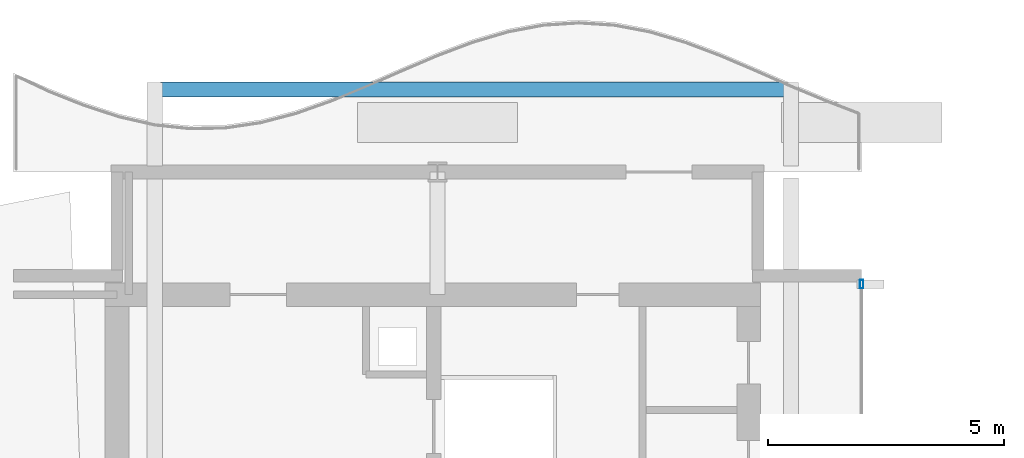
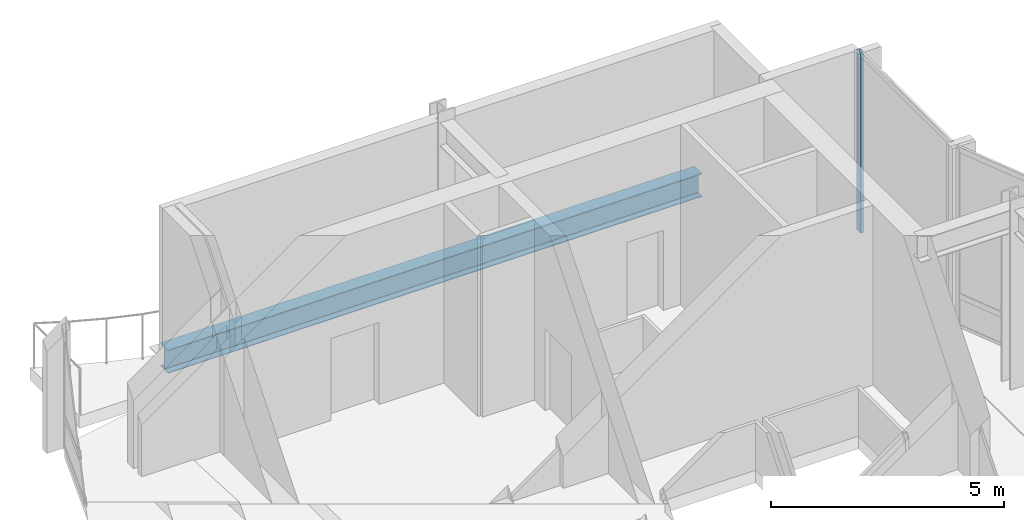
# One storey, part 19 of 29: 1 beam, 1 member, 1 element without a shape of its own.
"""IFC4 building model written with IfcOpenShell, lengths in metres."""

from ifc_helpers import new_model, si_unit, direction, frame, origin, origin_2d, place, context, subcontext, project, spatial, hollow_rectangle, i_section, extrude, material, layer, layer_set, material_profile, profile_set, type_object, element, aggregate, save


model = new_model("IFC4")

# Units and contexts
model_context = context("Model", 3, precision=1e-05, world=origin(), true_north=direction((0.0, 1.0)))
body_context = subcontext(model_context, "Body", "Model", "MODEL_VIEW")
ifc_project = project(units=[si_unit("LENGTHUNIT", "METRE"), si_unit("AREAUNIT", "SQUARE_METRE"), si_unit("VOLUMEUNIT", "CUBIC_METRE"), si_unit("PLANEANGLEUNIT", "RADIAN"), si_unit("MASSUNIT", "GRAM", prefix="KILO")], contexts=[model_context])

# Site, building, storey
site_placement = place(None, origin())
site = spatial("IfcSite", under=ifc_project, at=site_placement, CompositionType="ELEMENT")
building_placement = place(site_placement, origin())
building = spatial("IfcBuilding", under=site, at=building_placement, Name="Solvaryn Broadcast Tower", CompositionType="ELEMENT")
storey_placement = place(building_placement, frame((0.0, 0.0, 169.199951171875)))
storey = spatial("IfcBuildingStorey", under=building, at=storey_placement, Name="L42", CompositionType="ELEMENT", Elevation=169.199951171875)

# Beam
ifc_material_1 = material(Name="Steel ASTM A992 Grade 50", Category="steel")
ifc_material_profile_1 = material_profile(ifc_material_1, i_section(OverallWidth=0.323974609375, OverallDepth=0.611083984375, WebThickness=0.0126953125, FlangeThickness=0.01904296875, FilletRadius=0.014892578125, at=origin_2d()))
ifc_profile_set_1 = profile_set([ifc_material_profile_1], Name="Steel ASTM A992 Grade 50")
beam_type = type_object("IfcBeamType", Name="BM-B1-W24X104", PredefinedType="BEAM", material=ifc_profile_set_1)
beam_placement = place(storey_placement, frame((12.125, 46.75, -0.635498046875), z_axis=(1.0, 0.0, 0.0), x_axis=(0.0, 1.0, 0.0)))
element("IfcBeam", 1, at=beam_placement, inside=storey, type_object=beam_type, Name="L42 North Terrace Cross Tie Beam", PredefinedType="BEAM", context=body_context, shape_type="SweptSolid", body=[
    extrude(i_section(OverallWidth=0.323974609375, OverallDepth=0.611083984375, WebThickness=0.0126953125, FlangeThickness=0.01904296875, FilletRadius=0.014892578125, at=origin_2d()), origin(), (0.0, 0.0, 1.0), 13.25),
])

# Curtain wall, member
ifc_material_2 = material(Name="Aluminium and Terracotta Unitised Curtain Wall", Category="masonry")
ifc_layer = layer(ifc_material_2, 0.25)
ifc_layer_set = layer_set([ifc_layer], Name="CW-SYS4-SKYGARDEN")
curtain_wall_type = type_object("IfcCurtainWallType", Name="CW-SYS4-SKYGARDEN", PredefinedType="NOTDEFINED", material=ifc_layer_set)
curtain_wall_placement = place(storey_placement, origin())
curtain_wall = element("IfcCurtainWall", 2, at=curtain_wall_placement, inside=storey, type_object=curtain_wall_type, Name="L42 Curtain Wall IV", PredefinedType="NOTDEFINED")
ifc_material_3 = material(Name="Anodised Aluminium 6063-T6", Category="aluminium")
ifc_material_profile_2 = material_profile(ifc_material_3, hollow_rectangle(XDim=0.074951171875, YDim=0.179931640625, WallThickness=0.00390625, InnerFilletRadius=0.00390625, OuterFilletRadius=0.008056640625, at=origin_2d()))
ifc_profile_set_2 = profile_set([ifc_material_profile_2], Name="Anodised Aluminium 6063-T6")
member_type = type_object("IfcMemberType", Name="CW-MUL-180", PredefinedType="MULLION", material=ifc_profile_set_2)
member_placement = place(storey_placement, frame((27.0, 42.6201171875, 0.0), z_axis=(0.0, 0.0, 1.0), x_axis=(1.0, 0.0, 0.0)))
member = element("IfcMember", 3, at=member_placement, type_object=member_type, Name="CWS4 mullion 1", PredefinedType="MULLION", context=body_context, shape_type="SweptSolid", body=[
    extrude(hollow_rectangle(XDim=0.074951171875, YDim=0.179931640625, WallThickness=0.00390625, InnerFilletRadius=0.00390625, OuterFilletRadius=0.008056640625, at=origin_2d()), origin(), (0.0, 0.0, 1.0), 4.719970703125),
])
aggregate(curtain_wall, [member])

save(model, "model.ifc")
